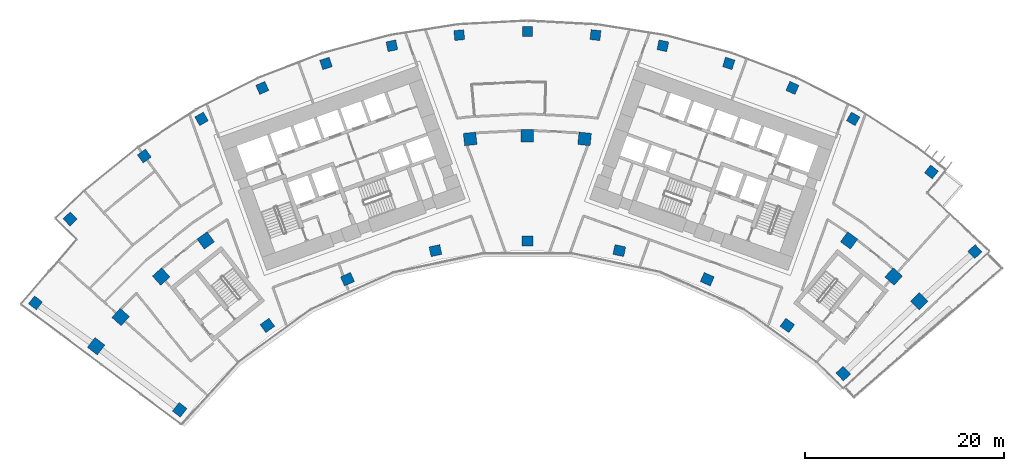
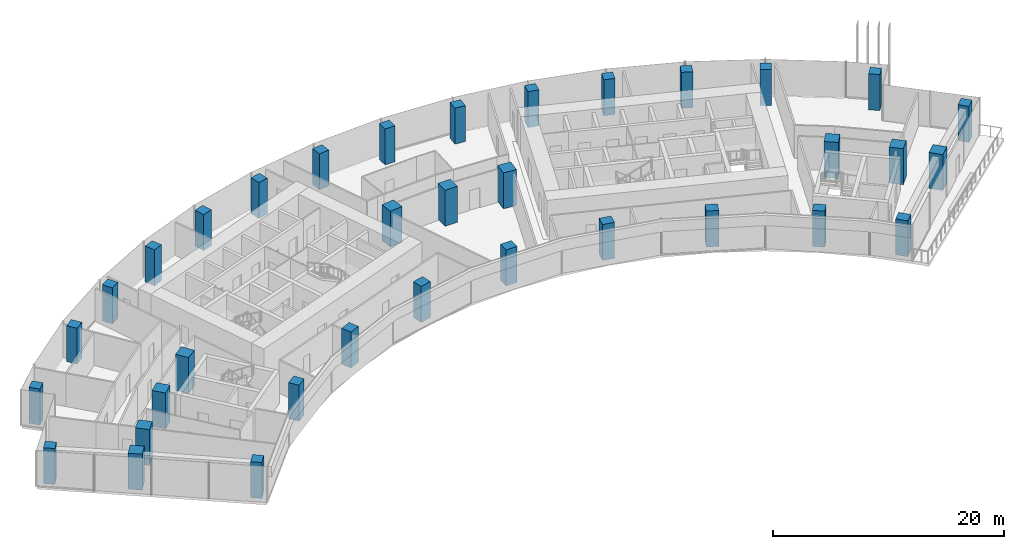
# One storey, part 1 of 20: 35 columns.
"""IFC4 building model written with IfcOpenShell, lengths in metres."""

from ifc_helpers import new_model, si_unit, direction, frame, origin, origin_2d, place, context, subcontext, project, spatial, rectangle, extrude, material, material_profile, profile_set, type_object, element, save


model = new_model("IFC4")

# Units and contexts
model_context = context("Model", 3, precision=1e-05, world=origin(), true_north=direction((0.0, 1.0)))
body_context = subcontext(model_context, "Body", "Model", "MODEL_VIEW")
ifc_project = project(units=[si_unit("LENGTHUNIT", "METRE"), si_unit("AREAUNIT", "SQUARE_METRE"), si_unit("VOLUMEUNIT", "CUBIC_METRE"), si_unit("PLANEANGLEUNIT", "RADIAN"), si_unit("MASSUNIT", "GRAM", prefix="KILO")], contexts=[model_context])

# Site, building, storey
site_placement = place(None, origin())
site = spatial("IfcSite", under=ifc_project, at=site_placement, CompositionType="ELEMENT")
building_placement = place(site_placement, origin())
building = spatial("IfcBuilding", under=site, at=building_placement, Name="Stone Belt Terrace Tower", CompositionType="ELEMENT")
storey_placement = place(building_placement, frame((0.0, 0.0, 182.0)))
storey = spatial("IfcBuildingStorey", under=building, at=storey_placement, Name="L44", CompositionType="ELEMENT", Elevation=182.0)

# Columns
ifc_material = material(Name="Concrete B80", Category="concrete")
ifc_material_profile_1 = material_profile(ifc_material, rectangle(XDim=1.0, YDim=1.0, at=origin_2d()), Name="RC 1000x1000")
ifc_profile_set_1 = profile_set([ifc_material_profile_1], Name="Concrete B80")
column_type_1 = type_object("IfcColumnType", Name="Column RC 1000x1000 B80", PredefinedType="COLUMN", material=ifc_profile_set_1)
for number, where, z_axis, x_axis, name in (
    (1, (-49.432861328125, 38.226318359375, 0.0), (0.0, 0.0, 1.0), (0.611730019057, 0.791066611472, 0.0), "Column L44 RA"),
    (2, (44.97705078125, 43.381103515625, 0.0), (0.0, 0.0, 1.0), (0.694221333646, -0.719761585465, 0.0), "Column L44 RB"),
    (3, (-45.95849609375, 46.654296875, 0.0), (0.0, 0.0, 1.0), (0.712398494182, 0.701775167334, 0.0), "Column L44 RNA"),
    (4, (-38.493408203125, 52.981689453125, 0.0), (0.0, 0.0, 1.0), (0.809016994375, 0.587785252292, 0.0), "Column L44 R16"),
    (5, (-32.744384765625, 56.715087890625, 0.0), (0.0, 0.0, 1.0), (0.866025403784, 0.5, 0.0), "Column L44 R17"),
    (6, (-26.63671875, 59.8271484375, 0.0), (0.0, 0.0, 1.0), (0.913545457643, 0.406736643076, 0.0), "Column L44 R18"),
    (7, (-20.2373046875, 62.28369140625, 0.0), (0.0, 0.0, 1.0), (0.951056516295, 0.309016994375, 0.0), "Column L44 R19"),
    (8, (-13.615966796875, 64.057861328125, 0.0), (0.0, 0.0, 1.0), (0.978147600734, 0.207911690818, 0.0), "Column L44 R20"),
    (9, (-6.845458984375, 65.130126953125, 0.0), (0.0, 0.0, 1.0), (0.994521895368, 0.104528463268, 0.0), "Column L44 R21"),
    (10, (0.0, 65.489013671875, 0.0), (0.0, 0.0, 1.0), (1.0, 0.0, 0.0), "Column L44 R22"),
    (11, (6.845458984375, 65.130126953125, 0.0), (0.0, 0.0, 1.0), (0.994521895368, -0.104528463268, 0.0), "Column L44 R23"),
    (12, (13.615966796875, 64.057861328125, 0.0), (0.0, 0.0, 1.0), (0.978147600734, -0.207911690818, 0.0), "Column L44 R24"),
    (13, (20.2373046875, 62.28369140625, 0.0), (0.0, 0.0, 1.0), (0.951056516295, -0.309016994375, 0.0), "Column L44 R25"),
    (14, (26.63671875, 59.8271484375, 0.0), (0.0, 0.0, 1.0), (0.913545457643, -0.406736643076, 0.0), "Column L44 R26"),
    (15, (32.744384765625, 56.715087890625, 0.0), (0.0, 0.0, 1.0), (0.866025403784, -0.5, 0.0), "Column L44 R27"),
    (16, (40.605712890625, 51.380615234375, 0.0), (0.0, 0.0, 1.0), (0.784569718703, -0.620040608746, 0.0), "Column L44 RNB"),
):
    element("IfcColumn", number, at=place(storey_placement, frame(where, z_axis=z_axis, x_axis=x_axis)), inside=storey, type_object=column_type_1, Name=name, PredefinedType="COLUMN", context=body_context, shape_type="SweptSolid", body=[
        extrude(rectangle(XDim=1.0, YDim=1.0, at=origin_2d()), origin(), (0.0, 0.0, 1.0), 3.800048828125),
    ])
ifc_material_profile_2 = material_profile(ifc_material, rectangle(XDim=1.10009765625, YDim=1.0, at=origin_2d()), Name="RC 1100x1000")
ifc_profile_set_2 = profile_set([ifc_material_profile_2], Name="Concrete B80")
column_type_2 = type_object("IfcColumnType", Name="Column RC 1100x1000 B80", PredefinedType="COLUMN", material=ifc_profile_set_2)
for number, where, z_axis, x_axis, name in (
    (17, (-34.93408203125, 27.476806640625, 0.0), (0.0, 0.0, 1.0), (0.618217727677, 0.786006896399, 0.0), "Column L44 PA"),
    (18, (-26.1240234375, 35.956787109375, 0.0), (0.0, 0.0, 1.0), (0.809016994375, 0.587785252292, 0.0), "Column L44 P16"),
    (19, (-18.077392578125, 40.6025390625, 0.0), (0.0, 0.0, 1.0), (0.913545457643, 0.406736643076, 0.0), "Column L44 P18"),
    (20, (-9.240478515625, 43.473876953125, 0.0), (0.0, 0.0, 1.0), (0.978147600734, 0.207911690818, 0.0), "Column L44 P20"),
    (21, (0.0, 44.445068359375, 0.0), (0.0, 0.0, 1.0), (1.0, 0.0, 0.0), "Column L44 P22"),
    (22, (9.240478515625, 43.473876953125, 0.0), (0.0, 0.0, 1.0), (0.978147600734, -0.207911690818, 0.0), "Column L44 P24"),
    (23, (18.077392578125, 40.6025390625, 0.0), (0.0, 0.0, 1.0), (0.913545457643, -0.406736643076, 0.0), "Column L44 P26"),
    (24, (26.1240234375, 35.956787109375, 0.0), (0.0, 0.0, 1.0), (0.809016994375, -0.587785252292, 0.0), "Column L44 P28"),
    (25, (31.73486328125, 31.11669921875, 0.0), (0.0, 0.0, 1.0), (0.700119596097, -0.714025595592, 0.0), "Column L44 PB"),
):
    element("IfcColumn", number, at=place(storey_placement, frame(where, z_axis=z_axis, x_axis=x_axis)), inside=storey, type_object=column_type_2, Name=name, PredefinedType="COLUMN", context=body_context, shape_type="SweptSolid", body=[
        extrude(rectangle(XDim=1.10009765625, YDim=1.0, at=origin_2d()), origin(), (0.0, 0.0, 1.0), 3.800048828125),
    ])
ifc_material_profile_3 = material_profile(ifc_material, rectangle(XDim=1.25, YDim=1.25, at=origin_2d()), Name="RC 1250x1250")
ifc_profile_set_3 = profile_set([ifc_material_profile_3], Name="Concrete B80")
column_type_3 = type_object("IfcColumnType", Name="Column RC 1250x1250 B80", PredefinedType="COLUMN", material=ifc_profile_set_3)
for number, where, z_axis, x_axis, name in (
    (26, (-43.33349609375, 33.870361328125, 0.0), (0.0, 0.0, 1.0), (0.615825127294, 0.787882867306, 0.0), "Column L44 QA"),
    (27, (-40.873046875, 36.80224609375, 0.0), (0.0, 0.0, 1.0), (0.669130606359, 0.743144825477, 0.0), "Column L44 Q14"),
    (28, (-36.80224609375, 40.873046875, 0.0), (0.0, 0.0, 1.0), (0.743144825477, 0.669130606359, 0.0), "Column L44 Q15"),
    (29, (-32.328125, 44.495849609375, 0.0), (0.0, 0.0, 1.0), (0.809016994375, 0.587785252292, 0.0), "Column L44 Q16"),
    (30, (-5.7490234375, 54.69873046875, 0.0), (0.0, 0.0, 1.0), (0.994521895368, 0.104528463268, 0.0), "Column L44 Q21"),
    (31, (0.0, 55.0, 0.0), (0.0, 0.0, 1.0), (1.0, 0.0, 0.0), "Column L44 Q22"),
    (32, (5.7490234375, 54.69873046875, 0.0), (0.0, 0.0, 1.0), (0.994521895368, -0.104528463268, 0.0), "Column L44 Q23"),
    (33, (32.328125, 44.495849609375, 0.0), (0.0, 0.0, 1.0), (0.809016994375, -0.587785252292, 0.0), "Column L44 Q28"),
    (34, (36.80224609375, 40.873046875, 0.0), (0.0, 0.0, 1.0), (0.743144825477, -0.669130606359, 0.0), "Column L44 Q29"),
    (35, (39.38818359375, 38.386962890625, 0.0), (0.0, 0.0, 1.0), (0.697944216238, -0.716152128406, 0.0), "Column L44 QB"),
):
    element("IfcColumn", number, at=place(storey_placement, frame(where, z_axis=z_axis, x_axis=x_axis)), inside=storey, type_object=column_type_3, Name=name, PredefinedType="COLUMN", context=body_context, shape_type="SweptSolid", body=[
        extrude(rectangle(XDim=1.25, YDim=1.25, at=origin_2d()), origin(), (0.0, 0.0, 1.0), 3.800048828125),
    ])

save(model, "model.ifc")
